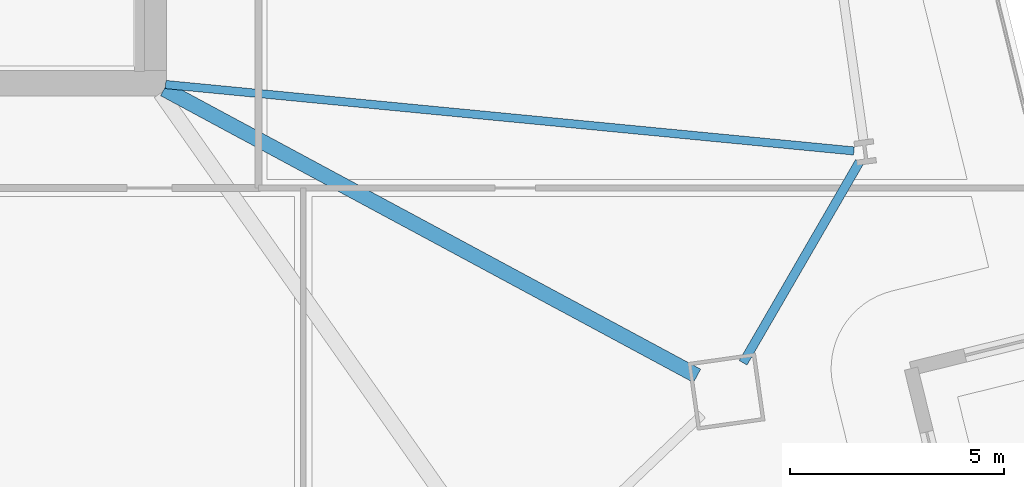
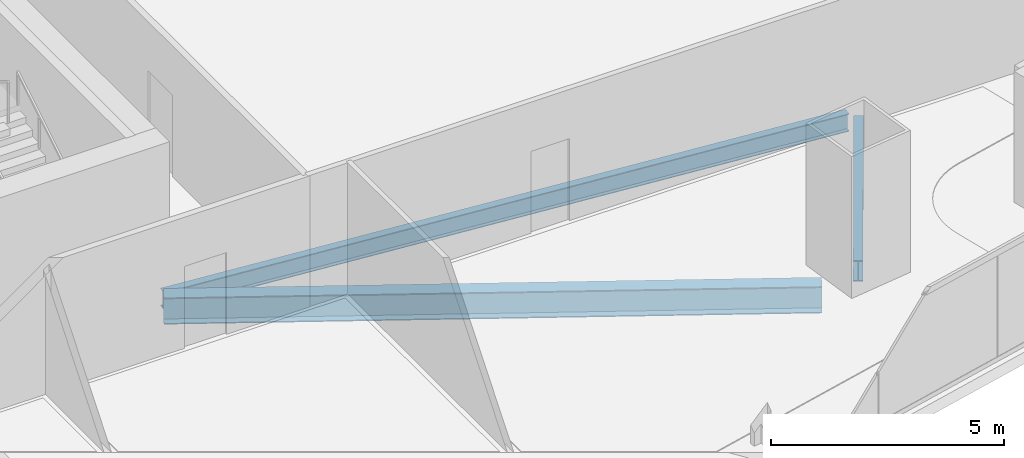
# One storey, part 10 of 32: 3 beams.
"""IFC4 building model written with IfcOpenShell, lengths in metres."""

from ifc_helpers import new_model, si_unit, direction, frame, origin, origin_2d, place, context, subcontext, project, spatial, i_section, extrude, material, material_profile, profile_set, type_object, element, save


model = new_model("IFC4")

# Units and contexts
model_context = context("Model", 3, precision=1e-05, world=origin(), true_north=direction((0.0, 1.0)))
body_context = subcontext(model_context, "Body", "Model", "MODEL_VIEW")
ifc_project = project(units=[si_unit("LENGTHUNIT", "METRE"), si_unit("AREAUNIT", "SQUARE_METRE"), si_unit("VOLUMEUNIT", "CUBIC_METRE"), si_unit("PLANEANGLEUNIT", "RADIAN"), si_unit("MASSUNIT", "GRAM", prefix="KILO")], contexts=[model_context])

# Site, building, storey
site_placement = place(None, origin())
site = spatial("IfcSite", under=ifc_project, at=site_placement, CompositionType="ELEMENT")
building_placement = place(site_placement, origin())
building = spatial("IfcBuilding", under=site, at=building_placement, Name="Haldenkirk Collegiate Tower", CompositionType="ELEMENT")
storey_placement = place(building_placement, frame((0.0, 0.0, 73.949951171875)))
storey = spatial("IfcBuildingStorey", under=building, at=storey_placement, Name="L17", CompositionType="ELEMENT", Elevation=73.949951171875)

# Beams
ifc_material = material(Name="Steel ASTM A992 Grade 50", Category="steel")
ifc_material_profile_1 = material_profile(ifc_material, i_section(OverallWidth=0.35498046875, OverallDepth=0.696044921875, WebThickness=0.015380859375, FlangeThickness=0.02490234375, at=origin_2d()), Name="W27X146")
ifc_profile_set_1 = profile_set([ifc_material_profile_1], Name="Steel ASTM A992 Grade 50")
beam_type_1 = type_object("IfcBeamType", Name="BM-GIRDER-W27X146", PredefinedType="BEAM", material=ifc_profile_set_1)
beam_1_placement = place(storey_placement, frame((57.71435546875, 11.15673828125, -0.657958984375), z_axis=(-0.880558564783, 0.473937352386, 0.0), x_axis=(-0.473937352386, -0.880558564783, 0.0)))
element("IfcBeam", 1, at=beam_1_placement, inside=storey, type_object=beam_type_1, Name="L17 primary floor girder 02", PredefinedType="BEAM", context=body_context, shape_type="SweptSolid", body=[
    extrude(i_section(OverallWidth=0.35498046875, OverallDepth=0.696044921875, WebThickness=0.015380859375, FlangeThickness=0.02490234375, at=origin_2d()), origin(), (0.0, 0.0, 1.0), 14.158935546875),
])
ifc_material_profile_2 = material_profile(ifc_material, i_section(OverallWidth=0.19189453125, OverallDepth=0.462890625, WebThickness=0.010498046875, FlangeThickness=0.017578125, at=origin_2d()), Name="W18X60")
ifc_profile_set_2 = profile_set([ifc_material_profile_2], Name="Steel ASTM A992 Grade 50")
beam_type_2 = type_object("IfcBeamType", Name="BM-JOIST-W18X60", PredefinedType="JOIST", material=ifc_profile_set_2)
beam_2_placement = place(storey_placement, frame((61.384765625, 16.41845703125, -0.54150390625), z_axis=(-0.995373409832, 0.096082126327, 0.0), x_axis=(-0.096082126327, -0.995373409832, 0.0)))
element("IfcBeam", 2, at=beam_2_placement, inside=storey, type_object=beam_type_2, Name="L17 composite floor joist 08", PredefinedType="JOIST", context=body_context, shape_type="SweptSolid", body=[
    extrude(i_section(OverallWidth=0.19189453125, OverallDepth=0.462890625, WebThickness=0.010498046875, FlangeThickness=0.017578125, at=origin_2d()), origin(), (0.0, 0.0, 1.0), 16.180908203125),
])
ifc_material_profile_3 = material_profile(ifc_material, i_section(OverallWidth=0.2119140625, OverallDepth=0.5439453125, WebThickness=0.01318359375, FlangeThickness=0.021240234375, at=origin_2d()), Name="W21X83")
ifc_profile_set_3 = profile_set([ifc_material_profile_3], Name="Steel ASTM A992 Grade 50")
beam_type_3 = type_object("IfcBeamType", Name="BM-SPANDREL-W21X83", PredefinedType="SPANDREL", material=ifc_profile_set_3)
beam_3_placement = place(storey_placement, frame((58.7919921875, 11.462158203125, -0.58203125), z_axis=(0.50120629055, 0.865327830543, 0.0), x_axis=(-0.865327830543, 0.50120629055, 0.0)))
element("IfcBeam", 3, at=beam_3_placement, inside=storey, type_object=beam_type_3, Name="L17 perimeter spandrel beam 05", PredefinedType="SPANDREL", context=body_context, shape_type="SweptSolid", body=[
    extrude(i_section(OverallWidth=0.2119140625, OverallDepth=0.5439453125, WebThickness=0.01318359375, FlangeThickness=0.021240234375, at=origin_2d()), origin(), (0.0, 0.0, 1.0), 5.43359375),
])

save(model, "model.ifc")
